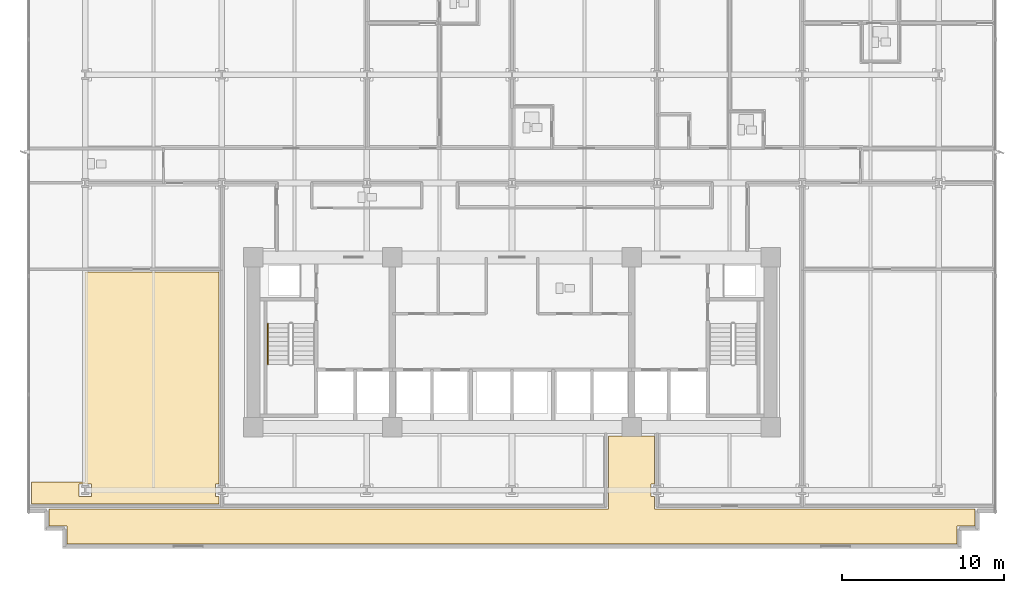
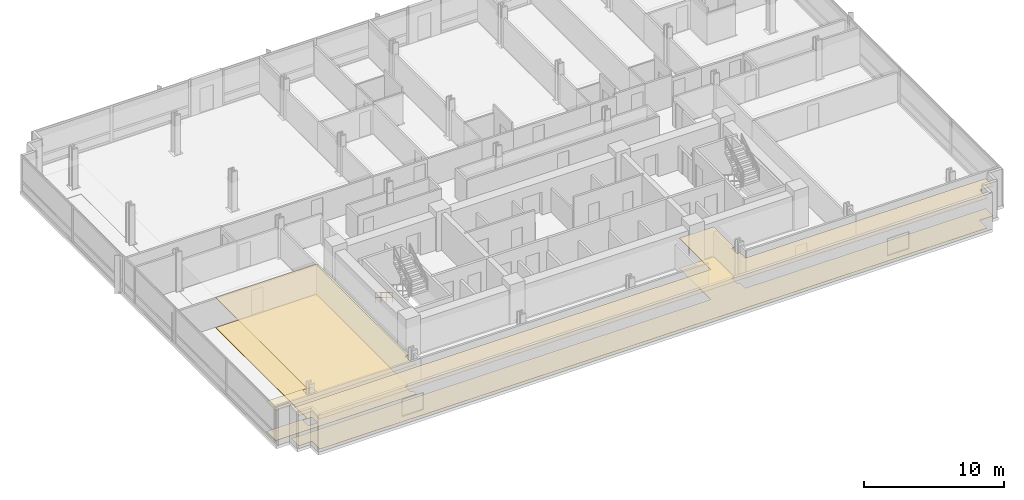
# One storey, part 12 of 18: 4 coverings, 1 railing.
"""IFC4 building model written with IfcOpenShell, lengths in metres."""

import ifcopenshell
import ifcopenshell.guid

model = None  # the IFC model being written
_history = None  # IfcOwnerHistory: only IFC2X3 demands one
_inside = {}  # id of a spatial element -> (the spatial element, [elements in it])
_under = {}  # id of a project, library or spatial element -> (it, [spatial elements below it])
_declared = {}  # id of a project -> (the project, [libraries it declares])
_typed = {}  # id of a type object -> (the type object, [elements of that type])
_made_of = {}  # id of a material, layer set ... -> (it, [elements and type objects made of it])


def new_model(schema):
    """Start an empty IFC model of exactly this schema.

    Asked for "IFC4X3", IfcOpenShell would pick the latest addendum, in which some entities
    have other attributes; the version numbers below select the first issue.
    IFC2X3 requires an IfcOwnerHistory on every rooted entity: one is made here for all.
    """
    global model, _history
    if schema == "IFC4X3":
        model = ifcopenshell.file(schema_version=(4, 3, 0, 0))
    else:
        model = ifcopenshell.file(schema=schema)
    _inside.clear()
    _under.clear()
    _declared.clear()
    _typed.clear()
    _made_of.clear()
    _history = None
    if model.schema == "IFC2X3":
        org = make("IfcOrganization", Name="unknown")
        user = make(
            "IfcPersonAndOrganization",
            ThePerson=make("IfcPerson", FamilyName="unknown"),
            TheOrganization=org,
        )
        app = make(
            "IfcApplication",
            ApplicationDeveloper=org,
            Version="unknown",
            ApplicationFullName="unknown",
            ApplicationIdentifier="unknown",
        )
        _history = make(
            "IfcOwnerHistory",
            OwningUser=user,
            OwningApplication=app,
            ChangeAction="ADDED",
            CreationDate=0,
        )
    return model


def make(cls, **values):
    """One entity of the class cls with the attributes given. An attribute that is None is left unset."""
    return model.create_entity(
        cls, **{name: value for name, value in values.items() if value is not None}
    )


def rooted(cls, **values):
    """An entity with a GlobalId (a new one), such as an element, a storey or a relation."""
    return make(cls, GlobalId=ifcopenshell.guid.new(), OwnerHistory=_history, **values)


def si_unit(unit_type, name, prefix=None):
    """IfcSIUnit, for example si_unit("LENGTHUNIT", "METRE", prefix="MILLI")."""
    return make("IfcSIUnit", UnitType=unit_type, Prefix=prefix, Name=name)


def assignment(units):
    """IfcUnitAssignment: the units of a project."""
    return None if units is None else make("IfcUnitAssignment", Units=units)


def point(xyz):
    """IfcCartesianPoint."""
    return None if xyz is None else make("IfcCartesianPoint", Coordinates=xyz)


def direction(xyz):
    """IfcDirection."""
    return None if xyz is None else make("IfcDirection", DirectionRatios=xyz)


def frame(location, z_axis=None, x_axis=None):
    """IfcAxis2Placement3D, a coordinate frame: its origin and axes. An axis left out is left unset."""
    return make(
        "IfcAxis2Placement3D",
        Location=point(location),
        Axis=direction(z_axis),
        RefDirection=direction(x_axis),
    )


def frame_2d(location, x_axis=None):
    """IfcAxis2Placement2D, a coordinate frame in the plane: its origin and x axis."""
    return make(
        "IfcAxis2Placement2D", Location=point(location), RefDirection=direction(x_axis)
    )


def origin():
    """The frame at (0, 0, 0) with its axes left unset."""
    return frame((0.0, 0.0, 0.0))


def origin_2d():
    """The frame at (0, 0) in the plane with its x axis left unset."""
    return frame_2d((0.0, 0.0))


def place(relative_to, where):
    """IfcLocalPlacement: puts the frame where relative to a parent placement (None: the world)."""
    return make(
        "IfcLocalPlacement", PlacementRelTo=relative_to, RelativePlacement=where
    )


def context(
    kind, dimensions, precision=None, world=None, true_north=None, identifier=None
):
    """IfcGeometricRepresentationContext, for example the 3D "Model" context."""
    return make(
        "IfcGeometricRepresentationContext",
        ContextIdentifier=identifier,
        ContextType=kind,
        CoordinateSpaceDimension=dimensions,
        Precision=precision,
        WorldCoordinateSystem=world,
        TrueNorth=true_north,
    )


def subcontext(parent, identifier, kind, view, scale=None):
    """IfcGeometricRepresentationSubContext, for example "Body" below "Model"."""
    return make(
        "IfcGeometricRepresentationSubContext",
        ContextIdentifier=identifier,
        ContextType=kind,
        ParentContext=parent,
        TargetScale=scale,
        TargetView=view,
    )


def project(units=None, contexts=None):
    """IfcProject with its units and contexts."""
    return rooted(
        "IfcProject",
        Name="project",
        RepresentationContexts=contexts,
        UnitsInContext=assignment(units),
    )


def spatial(cls, under=None, at=None, **own):
    """A site, building, storey or space (cls), placed at a placement, below another one or the project."""
    s = rooted(cls, ObjectPlacement=at, **own)
    if under is not None:
        _under.setdefault(under.id(), (under, []))[1].append(s)
    return s


def polyline(points):
    """IfcPolyline through the points."""
    return make("IfcPolyline", Points=[point(p) for p in points])


def profile(cls, at=None, kind="AREA", **sizes):
    """A parametric profile (cls). Its sizes go by their IFC names, for example OverallWidth=200.0."""
    return make(cls, ProfileType=kind, Position=at, **sizes)


def circle(**sizes):
    """IfcCircleProfileDef."""
    return profile("IfcCircleProfileDef", **sizes)


def outline(outer, holes=None, kind="AREA"):
    """IfcArbitraryClosedProfileDef: a profile drawn as a closed curve; with holes, ...WithVoids."""
    if holes is None:
        return make("IfcArbitraryClosedProfileDef", ProfileType=kind, OuterCurve=outer)
    return make(
        "IfcArbitraryProfileDefWithVoids",
        ProfileType=kind,
        OuterCurve=outer,
        InnerCurves=holes,
    )


def extrude(swept, where, along, depth):
    """IfcExtrudedAreaSolid: the profile swept, set in the frame where, extruded along a direction by depth."""
    return make(
        "IfcExtrudedAreaSolid",
        SweptArea=swept,
        Position=where,
        ExtrudedDirection=direction(along),
        Depth=depth,
    )


def shape(context_of_items, identifier, shape_type, items):
    """IfcShapeRepresentation: the items that make up one representation, for example the "Body"."""
    return make(
        "IfcShapeRepresentation",
        ContextOfItems=context_of_items,
        RepresentationIdentifier=identifier,
        RepresentationType=shape_type,
        Items=items,
    )


def material(Name=None, Category=None):
    """IfcMaterial."""
    return make("IfcMaterial", Name=Name, Category=Category)


def layer(
    of_material, thickness, ventilated=None, Name=None, Category=None, Priority=None
):
    """IfcMaterialLayer: one layer of a wall or slab, of a material (None: an air gap)."""
    return make(
        "IfcMaterialLayer",
        Material=of_material,
        LayerThickness=thickness,
        IsVentilated=ventilated,
        Name=Name,
        Category=Category,
        Priority=Priority,
    )


def layer_set(layers, Name=None):
    """IfcMaterialLayerSet."""
    return make("IfcMaterialLayerSet", MaterialLayers=layers, LayerSetName=Name)


def made_of(thing, what):
    """Note that an element or type object is made of a material, layer set ...; save() writes the relation."""
    if what is not None:
        _made_of.setdefault(what.id(), (what, []))[1].append(thing)
    return thing


def type_object(cls, material=None, **own):
    """A type object (cls), such as IfcWallType, which elements share."""
    return made_of(rooted(cls, **own), material)


def element(
    cls,
    number,
    at=None,
    inside=None,
    cuts=None,
    type_object=None,
    material=None,
    context=None,
    identifier="Body",
    shape_type=None,
    held_by="IfcProductDefinitionShape",
    body=None,
    shapes=None,
    **own,
):
    """One element of the class cls, such as IfcWall. Its Tag is "e" and its number.

    at: its placement. inside: the storey or other place that contains it. cuts: it is an
    opening in that element (IfcRelVoidsElement). A single representation is given by context,
    identifier, shape_type and body (its items); several are given by shapes. held_by: the class
    of the entity that holds the representations. save() writes the other relations.
    """
    e = rooted(cls, Tag="e%d" % number, ObjectPlacement=at, **own)
    if body is not None:
        shapes = [shape(context, identifier, shape_type, body)]
    if shapes is not None:
        e.Representation = make(held_by, Representations=shapes)
    if inside is not None:
        _inside.setdefault(inside.id(), (inside, []))[1].append(e)
    if cuts is not None:
        rooted(
            "IfcRelVoidsElement", RelatingBuildingElement=cuts, RelatedOpeningElement=e
        )
    if type_object is not None:
        _typed.setdefault(type_object.id(), (type_object, []))[1].append(e)
    return made_of(e, material)


def aggregate(whole, parts):
    """IfcRelAggregates: a whole, such as a stair, and the parts it consists of."""
    return rooted("IfcRelAggregates", RelatingObject=whole, RelatedObjects=parts)


def save(model, path):
    """Write the relations noted so far, then the file.

    IfcRelAggregates (storeys below a building ...), IfcRelContainedInSpatialStructure (elements
    in a storey), IfcRelDefinesByType, IfcRelAssociatesMaterial and IfcRelDeclares: one each for
    every whole, place, type object, material and project.
    """
    for whole, parts in _under.values():
        aggregate(whole, parts)
    for where, things in _inside.values():
        rooted(
            "IfcRelContainedInSpatialStructure",
            RelatedElements=things,
            RelatingStructure=where,
        )
    for kind, things in _typed.values():
        rooted("IfcRelDefinesByType", RelatedObjects=things, RelatingType=kind)
    for what, things in _made_of.values():
        rooted("IfcRelAssociatesMaterial", RelatedObjects=things, RelatingMaterial=what)
    for by, libraries in _declared.values():
        rooted("IfcRelDeclares", RelatingContext=by, RelatedDefinitions=libraries)
    model.write(path)


model = new_model("IFC4")

# Units and contexts
model_context = context("Model", 3, precision=1e-05, world=origin(), true_north=direction((0.0, 1.0)))
body_context = subcontext(model_context, "Body", "Model", "MODEL_VIEW")
ifc_project = project(units=[si_unit("LENGTHUNIT", "METRE"), si_unit("AREAUNIT", "SQUARE_METRE"), si_unit("VOLUMEUNIT", "CUBIC_METRE"), si_unit("PLANEANGLEUNIT", "RADIAN"), si_unit("MASSUNIT", "GRAM", prefix="KILO")], contexts=[model_context])

# Site, building, storey
site_placement = place(None, origin())
site = spatial("IfcSite", under=ifc_project, at=site_placement, CompositionType="ELEMENT")
building_placement = place(site_placement, origin())
building = spatial("IfcBuilding", under=site, at=building_placement, Name="Solmavex Isthmus Hotel", CompositionType="ELEMENT")
storey_placement = place(building_placement, frame((0.0, 0.0, 43.64990234375)))
storey = spatial("IfcBuildingStorey", under=building, at=storey_placement, Name="L11", CompositionType="ELEMENT", Elevation=43.64990234375)

# Coverings
ifc_material_1 = material(Name="Gypsum plasterboard lining", Category="gypsum")
ifc_layer_1 = layer(ifc_material_1, 0.030029296875)
ifc_layer_set_1 = layer_set([ifc_layer_1], Name="Gypsum plasterboard lining")
covering_type_1 = type_object("IfcCoveringType", Name="COV-CEIL-GYP", PredefinedType="CEILING", material=ifc_layer_set_1)
covering_1_placement = place(storey_placement, frame((0.0, 0.0, 2.6201171875)))
element("IfcCovering", 1, at=covering_1_placement, inside=storey, type_object=covering_type_1, Name="Suspended Acoustic Ceiling L11-FL15", PredefinedType="CEILING", context=body_context, shape_type="SweptSolid", body=[
    extrude(outline(polyline([(-28.625, -18.054931640625), (-28.625, -19.125), (-27.52490234375, -19.125), (-27.52490234375, -20.22509765625), (27.52490234375, -20.22509765625), (27.52490234375, -19.125), (28.625, -19.125), (28.625, -18.054931640625), (8.821044921875, -18.054931640625), (8.821044921875, -17.280029296875), (8.595947265625, -17.280029296875), (8.595947265625, -16.52001953125), (8.821044921875, -16.52001953125), (8.821044921875, -13.554931640625), (5.955078125, -13.554931640625), (5.955078125, -18.054931640625), (-28.625, -18.054931640625)])), origin(), (0.0, 0.0, 1.0), 0.030029296875),
])
covering_2_placement = place(storey_placement, frame((0.0, 0.0, 2.6201171875)))
element("IfcCovering", 2, at=covering_2_placement, inside=storey, type_object=covering_type_1, Name="Suspended Acoustic Ceiling L11-FL16", PredefinedType="CEILING", context=body_context, shape_type="SweptSolid", body=[
    extrude(outline(polyline([(-18.10693359375, -17.280029296875), (-18.33203125, -17.280029296875), (-18.33203125, -16.52001953125), (-18.10693359375, -16.52001953125), (-18.10693359375, -3.405029296875), (-26.39990234375, -3.405029296875), (-26.39990234375, -16.39990234375), (-29.72509765625, -16.39990234375), (-29.72509765625, -17.7451171875), (-18.10693359375, -17.7451171875), (-18.10693359375, -17.280029296875)]), holes=[polyline([(-26.780029296875, -17.280029296875), (-26.780029296875, -16.52001953125), (-26.02001953125, -16.52001953125), (-26.02001953125, -17.280029296875), (-26.780029296875, -17.280029296875)])]), origin(), (0.0, 0.0, 1.0), 0.030029296875),
])
ifc_material_2 = material(Name="Travertine natural stone", Category="masonry")
ifc_layer_2 = layer(ifc_material_2, 0.02490234375)
ifc_layer_set_2 = layer_set([ifc_layer_2], Name="Travertine natural stone")
covering_type_2 = type_object("IfcCoveringType", Name="COV-FLOR-STN", PredefinedType="FLOORING", material=ifc_layer_set_2)
covering_3_placement = place(storey_placement, origin())
element("IfcCovering", 3, at=covering_3_placement, inside=storey, type_object=covering_type_2, Name="Stone and Timber Floor Finish L11-FL15", PredefinedType="FLOORING", context=body_context, shape_type="SweptSolid", body=[
    extrude(outline(polyline([(-28.625, -18.054931640625), (-28.625, -19.125), (-27.52490234375, -19.125), (-27.52490234375, -20.22509765625), (27.52490234375, -20.22509765625), (27.52490234375, -19.125), (28.625, -19.125), (28.625, -18.054931640625), (8.821044921875, -18.054931640625), (8.821044921875, -17.280029296875), (8.595947265625, -17.280029296875), (8.595947265625, -16.52001953125), (8.821044921875, -16.52001953125), (8.821044921875, -13.554931640625), (5.955078125, -13.554931640625), (5.955078125, -18.054931640625), (-28.625, -18.054931640625)])), origin(), (0.0, 0.0, 1.0), 0.025146484375),
])
covering_4_placement = place(storey_placement, origin())
element("IfcCovering", 4, at=covering_4_placement, inside=storey, type_object=covering_type_2, Name="Stone and Timber Floor Finish L11-FL16", PredefinedType="FLOORING", context=body_context, shape_type="SweptSolid", body=[
    extrude(outline(polyline([(-18.10693359375, -17.280029296875), (-18.33203125, -17.280029296875), (-18.33203125, -16.52001953125), (-18.10693359375, -16.52001953125), (-18.10693359375, -3.405029296875), (-26.39990234375, -3.405029296875), (-26.39990234375, -16.39990234375), (-29.72509765625, -16.39990234375), (-29.72509765625, -17.7451171875), (-18.10693359375, -17.7451171875), (-18.10693359375, -17.280029296875)]), holes=[polyline([(-26.780029296875, -17.280029296875), (-26.780029296875, -16.52001953125), (-26.02001953125, -16.52001953125), (-26.02001953125, -17.280029296875), (-26.780029296875, -17.280029296875)])]), origin(), (0.0, 0.0, 1.0), 0.025146484375),
])

# Railing
ifc_material_3 = material(Name="Stainless steel 316", Category="steel")
ifc_layer_3 = layer(ifc_material_3, 0.050048828125)
ifc_layer_set_3 = layer_set([ifc_layer_3], Name="Stainless steel 316")
railing_type = type_object("IfcRailingType", Name="RAIL-STAIR-HR", PredefinedType="HANDRAIL", material=ifc_layer_set_3)
railing_placement = place(storey_placement, frame((-15.10009765625, -6.60009765625, 0.172607421875)))
element("IfcRailing", 5, at=railing_placement, inside=storey, type_object=railing_type, Name="L11 ST-1 stair handrail 1", PredefinedType="HANDRAIL", context=body_context, shape_type="SweptSolid", body=[
    extrude(circle(Radius=0.02392578125, at=origin_2d()), frame((0.0, 0.0, 0.8759765625), z_axis=(0.0, -0.851400495292, 0.524516154772), x_axis=(1.0, 0.0, 0.0)), (0.0, 0.0, 1.0), 2.9599609375),
    extrude(circle(Radius=0.02392578125, at=origin_2d()), frame((0.0, 0.0, 0.449951171875), z_axis=(0.0, -0.851400495292, 0.524516154772), x_axis=(1.0, 0.0, 0.0)), (0.0, 0.0, 1.0), 2.9599609375),
    extrude(circle(Radius=0.02099609375, at=origin_2d()), origin(), (0.0, 0.0, 1.0), 0.851806640625),
    extrude(circle(Radius=0.02099609375, at=origin_2d()), frame((0.0, -0.840087890625, 0.517578125)), (0.0, 0.0, 1.0), 0.851806640625),
    extrude(circle(Radius=0.02099609375, at=origin_2d()), frame((0.0, -1.679931640625, 1.034912109375)), (0.0, 0.0, 1.0), 0.851806640625),
    extrude(circle(Radius=0.02099609375, at=origin_2d()), frame((0.0, -2.52001953125, 1.552490234375)), (0.0, 0.0, 1.0), 0.851806640625),
])

save(model, "model.ifc")
